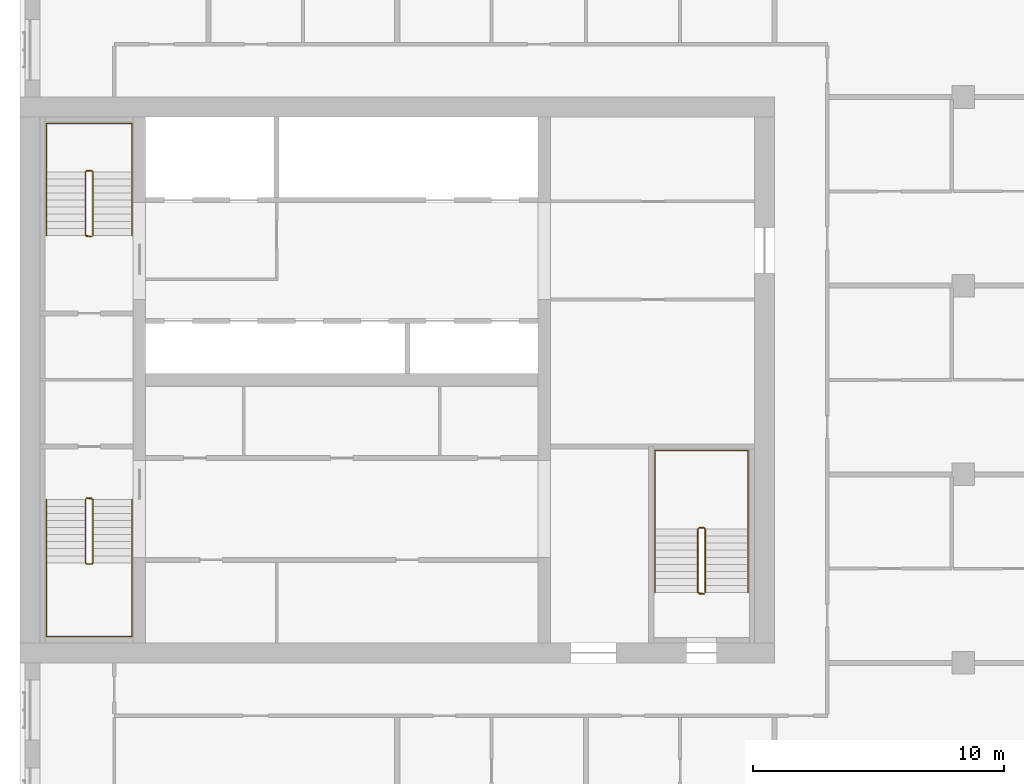
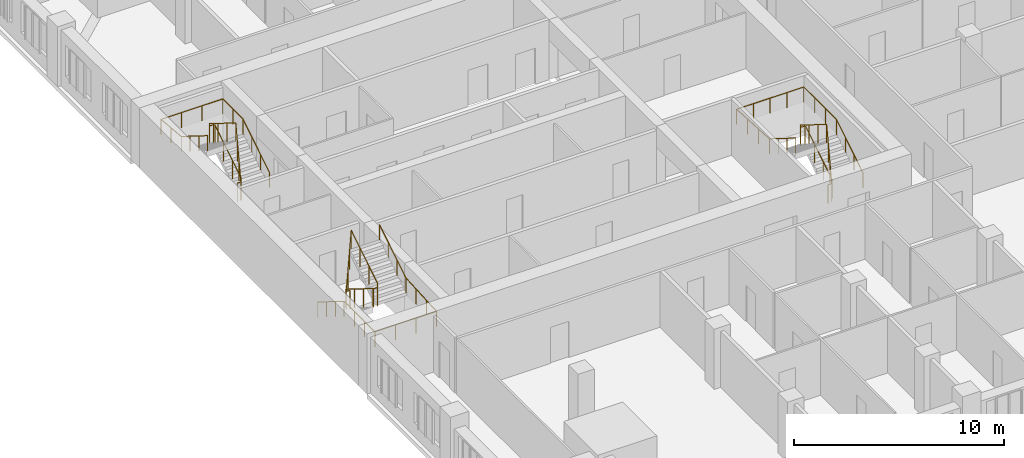
# One storey, part 14 of 14: 6 railings.
"""IFC4 building model written with IfcOpenShell, lengths in metres."""

from ifc_helpers import new_model, si_unit, direction, frame, origin, origin_2d, place, context, subcontext, project, spatial, circle, extrude, material, type_object, element, save


model = new_model("IFC4")

# Units and contexts
model_context = context("Model", 3, precision=1e-05, world=origin(), true_north=direction((0.0, 1.0)))
body_context = subcontext(model_context, "Body", "Model", "MODEL_VIEW")
ifc_project = project(units=[si_unit("LENGTHUNIT", "METRE"), si_unit("AREAUNIT", "SQUARE_METRE"), si_unit("VOLUMEUNIT", "CUBIC_METRE"), si_unit("PLANEANGLEUNIT", "RADIAN"), si_unit("MASSUNIT", "GRAM", prefix="KILO")], contexts=[model_context])

# Site, building, storey
site_placement = place(None, origin())
site = spatial("IfcSite", under=ifc_project, at=site_placement, CompositionType="ELEMENT")
building_placement = place(site_placement, origin())
building = spatial("IfcBuilding", under=site, at=building_placement, Name="Tamorin Gate", CompositionType="ELEMENT")
storey_placement = place(building_placement, frame((0.0, 0.0, 203.699951171875)))
storey = spatial("IfcBuildingStorey", under=building, at=storey_placement, Name="L50", CompositionType="ELEMENT", Elevation=203.699951171875)

# Railings
ifc_material_1 = material(Name="Painted steel balustrade", Category="steel")
railing_type_1 = type_object("IfcRailingType", Name="Stair guard 1100", PredefinedType="GUARDRAIL", material=ifc_material_1)
railing_1_placement = place(storey_placement, frame((32.60009765625, 66.5, 0.175048828125)))
element("IfcRailing", 1, at=railing_1_placement, inside=storey, type_object=railing_type_1, Name="L50 ST1 stair guard 1", PredefinedType="GUARDRAIL", context=body_context, shape_type="SweptSolid", body=[
    extrude(circle(Radius=0.02392578125, at=origin_2d()), frame((0.0, 0.0, 1.076171875), z_axis=(0.0, -0.848007534815, 0.529984170421), x_axis=(1.0, 0.0, 0.0)), (0.0, 0.0, 1.0), 2.9716796875),
    extrude(circle(Radius=0.02392578125, at=origin_2d()), frame((0.0, -2.52001953125, 2.65087890625), z_axis=(0.705375805398, -0.708833529934, 0.0), x_axis=(0.708833529934, 0.705375805398, 0.0)), (0.0, 0.0, 1.0), 0.070556640625),
    extrude(circle(Radius=0.02392578125, at=origin_2d()), frame((0.0498046875, -2.570068359375, 2.65087890625), z_axis=(1.0, 0.0, 0.0), x_axis=(0.0, 1.0, 0.0)), (0.0, 0.0, 1.0), 0.2001953125),
    extrude(circle(Radius=0.02392578125, at=origin_2d()), frame((0.25, -2.570068359375, 2.65087890625), z_axis=(0.263862480399, 0.265155923931, 0.927399011991), x_axis=(-0.708833529934, 0.705375805398, 0.0)), (0.0, 0.0, 1.0), 0.188720703125),
    extrude(circle(Radius=0.02392578125, at=origin_2d()), frame((0.2998046875, -2.52001953125, 2.826171875), z_axis=(0.0, 0.848007534815, 0.529984170421), x_axis=(-1.0, 0.0, 0.0)), (0.0, 0.0, 1.0), 2.9716796875),
    extrude(circle(Radius=0.02392578125, at=origin_2d()), frame((0.2998046875, 0.0, 4.40087890625), z_axis=(-0.071239803756, 0.014261874775, -0.997357252587), x_axis=(-0.196300278283, -0.98054382908, 0.0)), (0.0, 0.0, 1.0), 3.50927734375),
    extrude(circle(Radius=0.02392578125, at=origin_2d()), frame((0.0498046875, 0.050048828125, 0.90087890625), z_axis=(1.0, 0.0, 0.0), x_axis=(0.0, 1.0, 0.0)), (0.0, 0.0, 1.0), 0.2001953125),
    extrude(circle(Radius=0.02099609375, at=origin_2d()), origin(), (0.0, 0.0, 1.0), 1.052001953125),
    extrude(circle(Radius=0.02099609375, at=origin_2d()), frame((0.0, -0.840087890625, 0.52490234375)), (0.0, 0.0, 1.0), 1.052001953125),
    extrude(circle(Radius=0.02099609375, at=origin_2d()), frame((0.0, -1.679931640625, 1.050048828125)), (0.0, 0.0, 1.0), 1.052001953125),
    extrude(circle(Radius=0.02099609375, at=origin_2d()), frame((0.0, -2.52001953125, 1.574951171875)), (0.0, 0.0, 1.0), 1.052001953125),
    extrude(circle(Radius=0.02099609375, at=origin_2d()), frame((0.0498046875, -2.570068359375, 1.574951171875)), (0.0, 0.0, 1.0), 1.052001953125),
    extrude(circle(Radius=0.02099609375, at=origin_2d()), frame((0.25, -2.570068359375, 1.574951171875)), (0.0, 0.0, 1.0), 1.052001953125),
    extrude(circle(Radius=0.02099609375, at=origin_2d()), frame((0.2998046875, -2.52001953125, 1.75)), (0.0, 0.0, 1.0), 1.052001953125),
    extrude(circle(Radius=0.02099609375, at=origin_2d()), frame((0.2998046875, -1.679931640625, 2.27490234375)), (0.0, 0.0, 1.0), 1.052001953125),
    extrude(circle(Radius=0.02099609375, at=origin_2d()), frame((0.2998046875, -0.840087890625, 2.800048828125)), (0.0, 0.0, 1.0), 1.052001953125),
    extrude(circle(Radius=0.02099609375, at=origin_2d()), frame((0.2998046875, 0.0, 3.324951171875)), (0.0, 0.0, 1.0), 1.052001953125),
    extrude(circle(Radius=0.02099609375, at=origin_2d()), frame((0.216552734375, 0.0166015625, 2.158203125)), (0.0, 0.0, 1.0), 1.052001953125),
    extrude(circle(Radius=0.02099609375, at=origin_2d()), frame((0.133056640625, 0.033447265625, 0.99169921875)), (0.0, 0.0, 1.0), 1.052001953125),
    extrude(circle(Radius=0.02099609375, at=origin_2d()), frame((0.0498046875, 0.050048828125, -0.175048828125)), (0.0, 0.0, 1.0), 1.052001953125),
    extrude(circle(Radius=0.02099609375, at=origin_2d()), frame((0.25, 0.050048828125, -0.175048828125)), (0.0, 0.0, 1.0), 1.052001953125),
])
railing_2_placement = place(storey_placement, frame((32.89990234375, 77.0, 0.175048828125)))
element("IfcRailing", 2, at=railing_2_placement, inside=storey, type_object=railing_type_1, Name="L50 ST2 stair guard 1", PredefinedType="GUARDRAIL", context=body_context, shape_type="SweptSolid", body=[
    extrude(circle(Radius=0.02392578125, at=origin_2d()), frame((0.0, 0.0, 1.076171875), z_axis=(0.0, 0.848007534815, 0.529984170421), x_axis=(-1.0, 0.0, 0.0)), (0.0, 0.0, 1.0), 2.9716796875),
    extrude(circle(Radius=0.02392578125, at=origin_2d()), frame((0.0, 2.52001953125, 2.65087890625), z_axis=(-0.705375805398, 0.708833529934, 0.0), x_axis=(-0.708833529934, -0.705375805398, 0.0)), (0.0, 0.0, 1.0), 0.070556640625),
    extrude(circle(Radius=0.02392578125, at=origin_2d()), frame((-0.0498046875, 2.570068359375, 2.65087890625), z_axis=(-1.0, 0.0, 0.0), x_axis=(0.0, -1.0, 0.0)), (0.0, 0.0, 1.0), 0.2001953125),
    extrude(circle(Radius=0.02392578125, at=origin_2d()), frame((-0.25, 2.570068359375, 2.65087890625), z_axis=(-0.263862480399, -0.265155923931, 0.927399011991), x_axis=(0.708833529934, -0.705375805398, 0.0)), (0.0, 0.0, 1.0), 0.188720703125),
    extrude(circle(Radius=0.02392578125, at=origin_2d()), frame((-0.2998046875, 2.52001953125, 2.826171875), z_axis=(0.0, -0.848007534815, 0.529984170421), x_axis=(1.0, 0.0, 0.0)), (0.0, 0.0, 1.0), 2.9716796875),
    extrude(circle(Radius=0.02392578125, at=origin_2d()), frame((-0.2998046875, 0.0, 4.40087890625), z_axis=(0.071239803756, -0.014261874775, -0.997357252587), x_axis=(0.196300278283, 0.98054382908, 0.0)), (0.0, 0.0, 1.0), 3.50927734375),
    extrude(circle(Radius=0.02392578125, at=origin_2d()), frame((-0.0498046875, -0.050048828125, 0.90087890625), z_axis=(-1.0, 0.0, 0.0), x_axis=(0.0, -1.0, 0.0)), (0.0, 0.0, 1.0), 0.2001953125),
    extrude(circle(Radius=0.02099609375, at=origin_2d()), origin(), (0.0, 0.0, 1.0), 1.052001953125),
    extrude(circle(Radius=0.02099609375, at=origin_2d()), frame((0.0, 0.840087890625, 0.52490234375)), (0.0, 0.0, 1.0), 1.052001953125),
    extrude(circle(Radius=0.02099609375, at=origin_2d()), frame((0.0, 1.679931640625, 1.050048828125)), (0.0, 0.0, 1.0), 1.052001953125),
    extrude(circle(Radius=0.02099609375, at=origin_2d()), frame((0.0, 2.52001953125, 1.574951171875)), (0.0, 0.0, 1.0), 1.052001953125),
    extrude(circle(Radius=0.02099609375, at=origin_2d()), frame((-0.0498046875, 2.570068359375, 1.574951171875)), (0.0, 0.0, 1.0), 1.052001953125),
    extrude(circle(Radius=0.02099609375, at=origin_2d()), frame((-0.25, 2.570068359375, 1.574951171875)), (0.0, 0.0, 1.0), 1.052001953125),
    extrude(circle(Radius=0.02099609375, at=origin_2d()), frame((-0.2998046875, 2.52001953125, 1.75)), (0.0, 0.0, 1.0), 1.052001953125),
    extrude(circle(Radius=0.02099609375, at=origin_2d()), frame((-0.2998046875, 1.679931640625, 2.27490234375)), (0.0, 0.0, 1.0), 1.052001953125),
    extrude(circle(Radius=0.02099609375, at=origin_2d()), frame((-0.2998046875, 0.840087890625, 2.800048828125)), (0.0, 0.0, 1.0), 1.052001953125),
    extrude(circle(Radius=0.02099609375, at=origin_2d()), frame((-0.2998046875, 0.0, 3.324951171875)), (0.0, 0.0, 1.0), 1.052001953125),
    extrude(circle(Radius=0.02099609375, at=origin_2d()), frame((-0.216552734375, -0.0166015625, 2.158203125)), (0.0, 0.0, 1.0), 1.052001953125),
    extrude(circle(Radius=0.02099609375, at=origin_2d()), frame((-0.133056640625, -0.033447265625, 0.99169921875)), (0.0, 0.0, 1.0), 1.052001953125),
    extrude(circle(Radius=0.02099609375, at=origin_2d()), frame((-0.0498046875, -0.050048828125, -0.175048828125)), (0.0, 0.0, 1.0), 1.052001953125),
    extrude(circle(Radius=0.02099609375, at=origin_2d()), frame((-0.25, -0.050048828125, -0.175048828125)), (0.0, 0.0, 1.0), 1.052001953125),
])
railing_3_placement = place(storey_placement, frame((57.25, 62.800048828125, 0.175048828125)))
element("IfcRailing", 3, at=railing_3_placement, inside=storey, type_object=railing_type_1, Name="L50 ST3 stair guard 1", PredefinedType="GUARDRAIL", context=body_context, shape_type="SweptSolid", body=[
    extrude(circle(Radius=0.02392578125, at=origin_2d()), frame((0.0, 0.0, 1.076171875), z_axis=(0.0, 0.848007534815, 0.529984170421), x_axis=(-1.0, 0.0, 0.0)), (0.0, 0.0, 1.0), 2.9716796875),
    extrude(circle(Radius=0.02392578125, at=origin_2d()), frame((0.0, 2.52001953125, 2.65087890625), z_axis=(-0.707106781187, 0.707106781187, 0.0), x_axis=(-0.707106781187, -0.707106781187, 0.0)), (0.0, 0.0, 1.0), 0.07080078125),
    extrude(circle(Radius=0.02392578125, at=origin_2d()), frame((-0.050048828125, 2.570068359375, 2.65087890625), z_axis=(-1.0, 0.0, 0.0), x_axis=(0.0, -1.0, 0.0)), (0.0, 0.0, 1.0), 0.199951171875),
    extrude(circle(Radius=0.02392578125, at=origin_2d()), frame((-0.25, 2.570068359375, 2.65087890625), z_axis=(-0.265065253269, -0.265065253269, 0.927081885822), x_axis=(0.707106781187, -0.707106781187, 0.0)), (0.0, 0.0, 1.0), 0.188720703125),
    extrude(circle(Radius=0.02392578125, at=origin_2d()), frame((-0.300048828125, 2.52001953125, 2.826171875), z_axis=(0.0, -0.848007534815, 0.529984170421), x_axis=(1.0, 0.0, 0.0)), (0.0, 0.0, 1.0), 2.9716796875),
    extrude(circle(Radius=0.02392578125, at=origin_2d()), frame((-0.300048828125, 0.0, 4.40087890625), z_axis=(0.071239803756, -0.014261874775, -0.997357252587), x_axis=(0.196300278283, 0.98054382908, 0.0)), (0.0, 0.0, 1.0), 3.50927734375),
    extrude(circle(Radius=0.02392578125, at=origin_2d()), frame((-0.050048828125, -0.050048828125, 0.90087890625), z_axis=(-1.0, 0.0, 0.0), x_axis=(0.0, -1.0, 0.0)), (0.0, 0.0, 1.0), 0.199951171875),
    extrude(circle(Radius=0.02099609375, at=origin_2d()), origin(), (0.0, 0.0, 1.0), 1.052001953125),
    extrude(circle(Radius=0.02099609375, at=origin_2d()), frame((0.0, 0.840087890625, 0.52490234375)), (0.0, 0.0, 1.0), 1.052001953125),
    extrude(circle(Radius=0.02099609375, at=origin_2d()), frame((0.0, 1.679931640625, 1.050048828125)), (0.0, 0.0, 1.0), 1.052001953125),
    extrude(circle(Radius=0.02099609375, at=origin_2d()), frame((0.0, 2.52001953125, 1.574951171875)), (0.0, 0.0, 1.0), 1.052001953125),
    extrude(circle(Radius=0.02099609375, at=origin_2d()), frame((-0.050048828125, 2.570068359375, 1.574951171875)), (0.0, 0.0, 1.0), 1.052001953125),
    extrude(circle(Radius=0.02099609375, at=origin_2d()), frame((-0.25, 2.570068359375, 1.574951171875)), (0.0, 0.0, 1.0), 1.052001953125),
    extrude(circle(Radius=0.02099609375, at=origin_2d()), frame((-0.300048828125, 2.52001953125, 1.75)), (0.0, 0.0, 1.0), 1.052001953125),
    extrude(circle(Radius=0.02099609375, at=origin_2d()), frame((-0.300048828125, 1.679931640625, 2.27490234375)), (0.0, 0.0, 1.0), 1.052001953125),
    extrude(circle(Radius=0.02099609375, at=origin_2d()), frame((-0.300048828125, 0.840087890625, 2.800048828125)), (0.0, 0.0, 1.0), 1.052001953125),
    extrude(circle(Radius=0.02099609375, at=origin_2d()), frame((-0.300048828125, 0.0, 3.324951171875)), (0.0, 0.0, 1.0), 1.052001953125),
    extrude(circle(Radius=0.02099609375, at=origin_2d()), frame((-0.216796875, -0.0166015625, 2.158203125)), (0.0, 0.0, 1.0), 1.052001953125),
    extrude(circle(Radius=0.02099609375, at=origin_2d()), frame((-0.13330078125, -0.033447265625, 0.99169921875)), (0.0, 0.0, 1.0), 1.052001953125),
    extrude(circle(Radius=0.02099609375, at=origin_2d()), frame((-0.050048828125, -0.050048828125, -0.175048828125)), (0.0, 0.0, 1.0), 1.052001953125),
    extrude(circle(Radius=0.02099609375, at=origin_2d()), frame((-0.25, -0.050048828125, -0.175048828125)), (0.0, 0.0, 1.0), 1.052001953125),
])
ifc_material_2 = material(Name="Painted steel handrail", Category="steel")
railing_type_2 = type_object("IfcRailingType", Name="Stair handrail 900", PredefinedType="HANDRAIL", material=ifc_material_2)
railing_4_placement = place(storey_placement, frame((31.050048828125, 66.5, 0.175048828125)))
element("IfcRailing", 4, at=railing_4_placement, inside=storey, type_object=railing_type_2, Name="L50 ST1 stair handrail 1", PredefinedType="HANDRAIL", context=body_context, shape_type="SweptSolid", body=[
    extrude(circle(Radius=0.02392578125, at=origin_2d()), frame((0.0, 0.0, 0.8759765625), z_axis=(0.0, -0.848007534815, 0.529984170421), x_axis=(1.0, 0.0, 0.0)), (0.0, 0.0, 1.0), 2.9716796875),
    extrude(circle(Radius=0.02392578125, at=origin_2d()), frame((0.0, -2.52001953125, 2.45068359375), z_axis=(0.0, -1.0, 0.0), x_axis=(1.0, 0.0, 0.0)), (0.0, 0.0, 1.0), 2.929931640625),
    extrude(circle(Radius=0.02392578125, at=origin_2d()), frame((0.0, -5.449951171875, 2.45068359375), z_axis=(1.0, 0.0, 0.0), x_axis=(0.0, 1.0, 0.0)), (0.0, 0.0, 1.0), 3.39990234375),
    extrude(circle(Radius=0.02392578125, at=origin_2d()), frame((3.39990234375, -5.449951171875, 2.45068359375), z_axis=(0.0, 0.998220029962, 0.0596386769), x_axis=(-1.0, 0.0, 0.0)), (0.0, 0.0, 1.0), 2.93505859375),
    extrude(circle(Radius=0.02392578125, at=origin_2d()), frame((3.39990234375, -2.52001953125, 2.6259765625), z_axis=(0.0, 0.848007534815, 0.529984170421), x_axis=(-1.0, 0.0, 0.0)), (0.0, 0.0, 1.0), 2.9716796875),
    extrude(circle(Radius=0.02099609375, at=origin_2d()), origin(), (0.0, 0.0, 1.0), 0.851806640625),
    extrude(circle(Radius=0.02099609375, at=origin_2d()), frame((0.0, -0.840087890625, 0.52490234375)), (0.0, 0.0, 1.0), 0.851806640625),
    extrude(circle(Radius=0.02099609375, at=origin_2d()), frame((0.0, -1.679931640625, 1.050048828125)), (0.0, 0.0, 1.0), 0.851806640625),
    extrude(circle(Radius=0.02099609375, at=origin_2d()), frame((0.0, -2.52001953125, 1.574951171875)), (0.0, 0.0, 1.0), 0.851806640625),
    extrude(circle(Radius=0.02099609375, at=origin_2d()), frame((0.0, -3.49658203125, 1.574951171875)), (0.0, 0.0, 1.0), 0.851806640625),
    extrude(circle(Radius=0.02099609375, at=origin_2d()), frame((0.0, -4.473388671875, 1.574951171875)), (0.0, 0.0, 1.0), 0.851806640625),
    extrude(circle(Radius=0.02099609375, at=origin_2d()), frame((0.0, -5.449951171875, 1.574951171875)), (0.0, 0.0, 1.0), 0.851806640625),
    extrude(circle(Radius=0.02099609375, at=origin_2d()), frame((1.13330078125, -5.449951171875, 1.574951171875)), (0.0, 0.0, 1.0), 0.851806640625),
    extrude(circle(Radius=0.02099609375, at=origin_2d()), frame((2.2666015625, -5.449951171875, 1.574951171875)), (0.0, 0.0, 1.0), 0.851806640625),
    extrude(circle(Radius=0.02099609375, at=origin_2d()), frame((3.39990234375, -5.449951171875, 1.574951171875)), (0.0, 0.0, 1.0), 0.851806640625),
    extrude(circle(Radius=0.02099609375, at=origin_2d()), frame((3.39990234375, -4.473388671875, 1.63330078125)), (0.0, 0.0, 1.0), 0.851806640625),
    extrude(circle(Radius=0.02099609375, at=origin_2d()), frame((3.39990234375, -3.49658203125, 1.691650390625)), (0.0, 0.0, 1.0), 0.851806640625),
    extrude(circle(Radius=0.02099609375, at=origin_2d()), frame((3.39990234375, -2.52001953125, 1.75)), (0.0, 0.0, 1.0), 0.851806640625),
    extrude(circle(Radius=0.02099609375, at=origin_2d()), frame((3.39990234375, -1.679931640625, 2.27490234375)), (0.0, 0.0, 1.0), 0.851806640625),
    extrude(circle(Radius=0.02099609375, at=origin_2d()), frame((3.39990234375, -0.840087890625, 2.800048828125)), (0.0, 0.0, 1.0), 0.851806640625),
    extrude(circle(Radius=0.02099609375, at=origin_2d()), frame((3.39990234375, 0.0, 3.324951171875)), (0.0, 0.0, 1.0), 0.851806640625),
])
railing_5_placement = place(storey_placement, frame((34.449951171875, 77.0, 0.175048828125)))
element("IfcRailing", 5, at=railing_5_placement, inside=storey, type_object=railing_type_2, Name="L50 ST2 stair handrail 1", PredefinedType="HANDRAIL", context=body_context, shape_type="SweptSolid", body=[
    extrude(circle(Radius=0.02392578125, at=origin_2d()), frame((0.0, 0.0, 0.8759765625), z_axis=(0.0, 0.848007534815, 0.529984170421), x_axis=(-1.0, 0.0, 0.0)), (0.0, 0.0, 1.0), 2.9716796875),
    extrude(circle(Radius=0.02392578125, at=origin_2d()), frame((0.0, 2.52001953125, 2.45068359375), z_axis=(0.0, 1.0, 0.0), x_axis=(-1.0, 0.0, 0.0)), (0.0, 0.0, 1.0), 1.929931640625),
    extrude(circle(Radius=0.02392578125, at=origin_2d()), frame((0.0, 4.449951171875, 2.45068359375), z_axis=(-1.0, 0.0, 0.0), x_axis=(0.0, -1.0, 0.0)), (0.0, 0.0, 1.0), 3.39990234375),
    extrude(circle(Radius=0.02392578125, at=origin_2d()), frame((-3.39990234375, 4.449951171875, 2.45068359375), z_axis=(0.0, -0.995911773435, 0.090331276604), x_axis=(1.0, 0.0, 0.0)), (0.0, 0.0, 1.0), 1.937744140625),
    extrude(circle(Radius=0.02392578125, at=origin_2d()), frame((-3.39990234375, 2.52001953125, 2.6259765625), z_axis=(0.0, -0.848007534815, 0.529984170421), x_axis=(1.0, 0.0, 0.0)), (0.0, 0.0, 1.0), 2.9716796875),
    extrude(circle(Radius=0.02099609375, at=origin_2d()), origin(), (0.0, 0.0, 1.0), 0.851806640625),
    extrude(circle(Radius=0.02099609375, at=origin_2d()), frame((0.0, 0.840087890625, 0.52490234375)), (0.0, 0.0, 1.0), 0.851806640625),
    extrude(circle(Radius=0.02099609375, at=origin_2d()), frame((0.0, 1.679931640625, 1.050048828125)), (0.0, 0.0, 1.0), 0.851806640625),
    extrude(circle(Radius=0.02099609375, at=origin_2d()), frame((0.0, 2.52001953125, 1.574951171875)), (0.0, 0.0, 1.0), 0.851806640625),
    extrude(circle(Radius=0.02099609375, at=origin_2d()), frame((0.0, 3.48486328125, 1.574951171875)), (0.0, 0.0, 1.0), 0.851806640625),
    extrude(circle(Radius=0.02099609375, at=origin_2d()), frame((0.0, 4.449951171875, 1.574951171875)), (0.0, 0.0, 1.0), 0.851806640625),
    extrude(circle(Radius=0.02099609375, at=origin_2d()), frame((-1.13330078125, 4.449951171875, 1.574951171875)), (0.0, 0.0, 1.0), 0.851806640625),
    extrude(circle(Radius=0.02099609375, at=origin_2d()), frame((-2.2666015625, 4.449951171875, 1.574951171875)), (0.0, 0.0, 1.0), 0.851806640625),
    extrude(circle(Radius=0.02099609375, at=origin_2d()), frame((-3.39990234375, 4.449951171875, 1.574951171875)), (0.0, 0.0, 1.0), 0.851806640625),
    extrude(circle(Radius=0.02099609375, at=origin_2d()), frame((-3.39990234375, 3.48486328125, 1.66259765625)), (0.0, 0.0, 1.0), 0.851806640625),
    extrude(circle(Radius=0.02099609375, at=origin_2d()), frame((-3.39990234375, 2.52001953125, 1.75)), (0.0, 0.0, 1.0), 0.851806640625),
    extrude(circle(Radius=0.02099609375, at=origin_2d()), frame((-3.39990234375, 1.679931640625, 2.27490234375)), (0.0, 0.0, 1.0), 0.851806640625),
    extrude(circle(Radius=0.02099609375, at=origin_2d()), frame((-3.39990234375, 0.840087890625, 2.800048828125)), (0.0, 0.0, 1.0), 0.851806640625),
    extrude(circle(Radius=0.02099609375, at=origin_2d()), frame((-3.39990234375, 0.0, 3.324951171875)), (0.0, 0.0, 1.0), 0.851806640625),
])
railing_6_placement = place(storey_placement, frame((58.949951171875, 62.800048828125, 0.175048828125)))
element("IfcRailing", 6, at=railing_6_placement, inside=storey, type_object=railing_type_2, Name="L50 ST3 stair handrail 1", PredefinedType="HANDRAIL", context=body_context, shape_type="SweptSolid", body=[
    extrude(circle(Radius=0.02392578125, at=origin_2d()), frame((0.0, 0.0, 0.8759765625), z_axis=(0.0, 0.848007534815, 0.529984170421), x_axis=(-1.0, 0.0, 0.0)), (0.0, 0.0, 1.0), 2.9716796875),
    extrude(circle(Radius=0.02392578125, at=origin_2d()), frame((0.0, 2.52001953125, 2.45068359375), z_axis=(0.0, 1.0, 0.0), x_axis=(-1.0, 0.0, 0.0)), (0.0, 0.0, 1.0), 3.1298828125),
    extrude(circle(Radius=0.02392578125, at=origin_2d()), frame((0.0, 5.64990234375, 2.45068359375), z_axis=(-1.0, 0.0, 0.0), x_axis=(0.0, -1.0, 0.0)), (0.0, 0.0, 1.0), 3.699951171875),
    extrude(circle(Radius=0.02392578125, at=origin_2d()), frame((-3.699951171875, 5.64990234375, 2.45068359375), z_axis=(0.0, -0.998439675676, 0.055840970941), x_axis=(1.0, 0.0, 0.0)), (0.0, 0.0, 1.0), 3.134765625),
    extrude(circle(Radius=0.02392578125, at=origin_2d()), frame((-3.699951171875, 2.52001953125, 2.6259765625), z_axis=(0.0, -0.848007534815, 0.529984170421), x_axis=(1.0, 0.0, 0.0)), (0.0, 0.0, 1.0), 2.9716796875),
    extrude(circle(Radius=0.02099609375, at=origin_2d()), origin(), (0.0, 0.0, 1.0), 0.851806640625),
    extrude(circle(Radius=0.02099609375, at=origin_2d()), frame((0.0, 0.840087890625, 0.52490234375)), (0.0, 0.0, 1.0), 0.851806640625),
    extrude(circle(Radius=0.02099609375, at=origin_2d()), frame((0.0, 1.679931640625, 1.050048828125)), (0.0, 0.0, 1.0), 0.851806640625),
    extrude(circle(Radius=0.02099609375, at=origin_2d()), frame((0.0, 2.52001953125, 1.574951171875)), (0.0, 0.0, 1.0), 0.851806640625),
    extrude(circle(Radius=0.02099609375, at=origin_2d()), frame((0.0, 3.563232421875, 1.574951171875)), (0.0, 0.0, 1.0), 0.851806640625),
    extrude(circle(Radius=0.02099609375, at=origin_2d()), frame((0.0, 4.606689453125, 1.574951171875)), (0.0, 0.0, 1.0), 0.851806640625),
    extrude(circle(Radius=0.02099609375, at=origin_2d()), frame((0.0, 5.64990234375, 1.574951171875)), (0.0, 0.0, 1.0), 0.851806640625),
    extrude(circle(Radius=0.02099609375, at=origin_2d()), frame((-0.925048828125, 5.64990234375, 1.574951171875)), (0.0, 0.0, 1.0), 0.851806640625),
    extrude(circle(Radius=0.02099609375, at=origin_2d()), frame((-1.85009765625, 5.64990234375, 1.574951171875)), (0.0, 0.0, 1.0), 0.851806640625),
    extrude(circle(Radius=0.02099609375, at=origin_2d()), frame((-2.77490234375, 5.64990234375, 1.574951171875)), (0.0, 0.0, 1.0), 0.851806640625),
    extrude(circle(Radius=0.02099609375, at=origin_2d()), frame((-3.699951171875, 5.64990234375, 1.574951171875)), (0.0, 0.0, 1.0), 0.851806640625),
    extrude(circle(Radius=0.02099609375, at=origin_2d()), frame((-3.699951171875, 4.606689453125, 1.63330078125)), (0.0, 0.0, 1.0), 0.851806640625),
    extrude(circle(Radius=0.02099609375, at=origin_2d()), frame((-3.699951171875, 3.563232421875, 1.691650390625)), (0.0, 0.0, 1.0), 0.851806640625),
    extrude(circle(Radius=0.02099609375, at=origin_2d()), frame((-3.699951171875, 2.52001953125, 1.75)), (0.0, 0.0, 1.0), 0.851806640625),
    extrude(circle(Radius=0.02099609375, at=origin_2d()), frame((-3.699951171875, 1.679931640625, 2.27490234375)), (0.0, 0.0, 1.0), 0.851806640625),
    extrude(circle(Radius=0.02099609375, at=origin_2d()), frame((-3.699951171875, 0.840087890625, 2.800048828125)), (0.0, 0.0, 1.0), 0.851806640625),
    extrude(circle(Radius=0.02099609375, at=origin_2d()), frame((-3.699951171875, 0.0, 3.324951171875)), (0.0, 0.0, 1.0), 0.851806640625),
])

save(model, "model.ifc")
